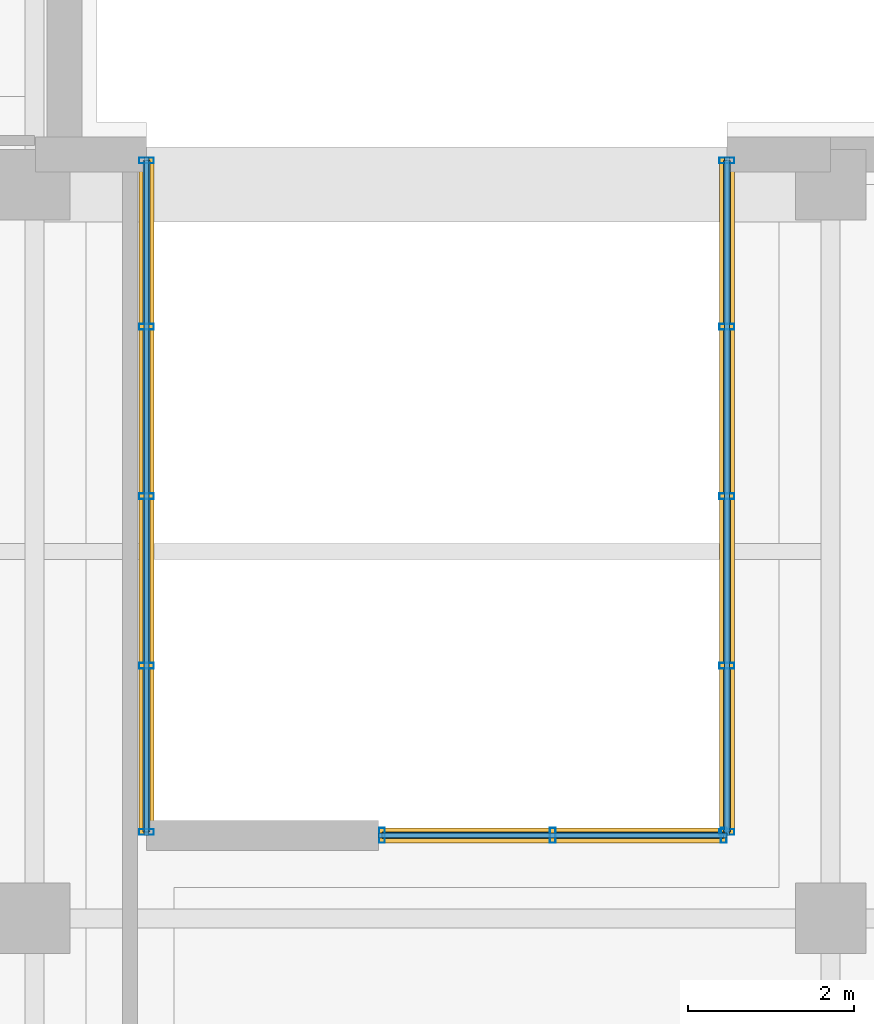
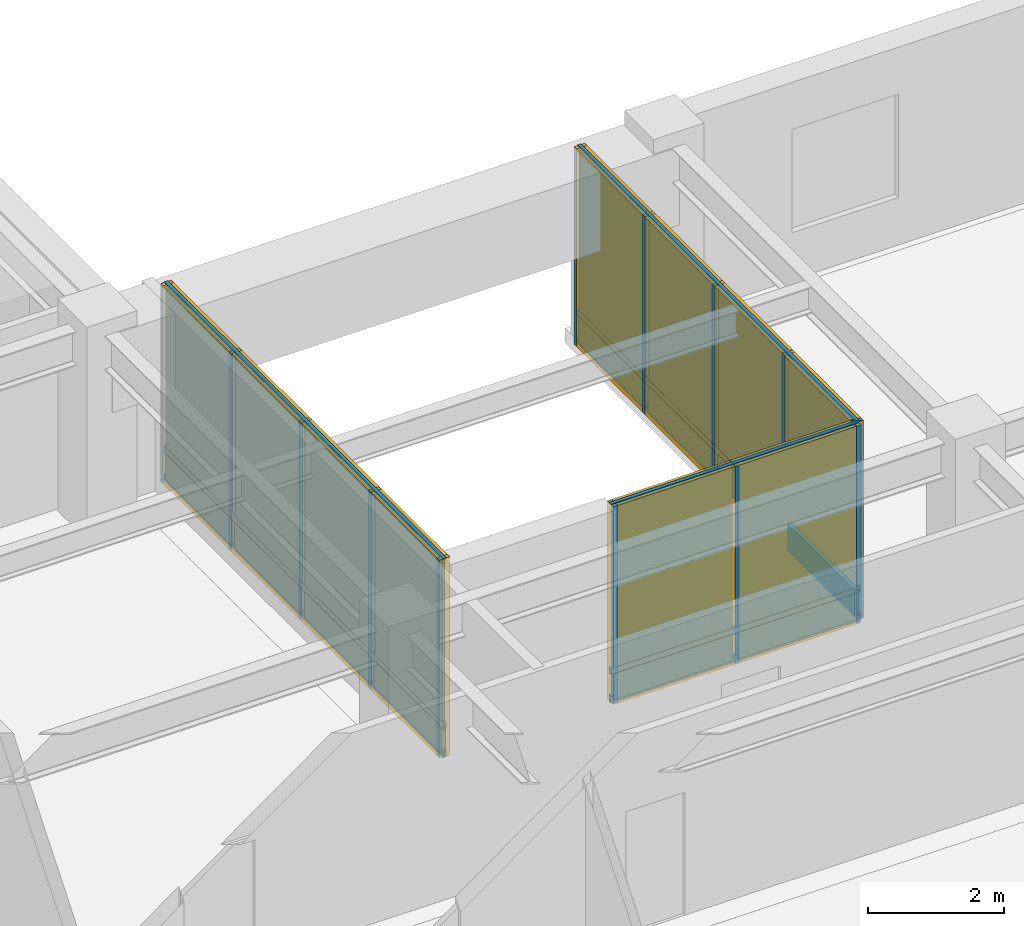
# One storey, part 7 of 12: 22 members, 20 plates, 3 curtain walls.
"""IFC4 building model written with IfcOpenShell, lengths in metres."""

from ifc_helpers import new_model, si_unit, direction, frame, frame_2d, origin, origin_2d, place, context, subcontext, project, spatial, rectangle, hollow_rectangle, extrude, material, layer, layer_set, material_profile, profile_set, type_object, element, aggregate, save


model = new_model("IFC4")

# Units and contexts
model_context = context("Model", 3, precision=1e-05, world=origin(), true_north=direction((0.0, 1.0)))
body_context = subcontext(model_context, "Body", "Model", "MODEL_VIEW")
ifc_project = project(units=[si_unit("LENGTHUNIT", "METRE"), si_unit("AREAUNIT", "SQUARE_METRE"), si_unit("VOLUMEUNIT", "CUBIC_METRE"), si_unit("PLANEANGLEUNIT", "RADIAN"), si_unit("MASSUNIT", "GRAM", prefix="KILO")], contexts=[model_context])

# Member
ifc_material_1 = material(Name="Anodized Aluminium 6063-T6", Category="aluminium")
ifc_material_profile_1 = material_profile(ifc_material_1, hollow_rectangle(XDim=0.070068359375, YDim=0.179931640625, WallThickness=0.00390625, at=origin_2d()), Name="Anodized Aluminium 6063-T6")
ifc_profile_set_1 = profile_set([ifc_material_profile_1], Name="Anodized Aluminium 6063-T6")
member_type_1 = type_object("IfcMemberType", Name="Curtain Wall Mullion 180", PredefinedType="MULLION", material=ifc_profile_set_1)
site_placement = place(None, origin())
building_placement = place(site_placement, origin())
storey_placement = place(building_placement, frame((0.0, 0.0, 225.60009765625)))
member_1_placement = place(storey_placement, frame((39.0, 29.840087890625, 0.0), z_axis=(0.0, 0.0, 1.0), x_axis=(0.0, 1.0, 0.0)))
member_1 = element("IfcMember", 1, at=member_1_placement, type_object=member_type_1, Name="Curtain Wall Mullion CW-L57-SGW-M01", PredefinedType="MULLION", context=body_context, shape_type="SweptSolid", body=[
    extrude(hollow_rectangle(XDim=0.070068359375, YDim=0.179931640625, WallThickness=0.00390625, at=origin_2d()), origin(), (0.0, 0.0, 1.0), 3.539794921875),
])

member_2_placement = place(storey_placement, frame((39.0, 31.844970703125, 0.0), z_axis=(0.0, 0.0, 1.0), x_axis=(0.0, 1.0, 0.0)))
member_2 = element("IfcMember", 2, at=member_2_placement, type_object=member_type_1, Name="Curtain Wall Mullion CW-L57-SGW-M02", PredefinedType="MULLION", context=body_context, shape_type="SweptSolid", body=[
    extrude(hollow_rectangle(XDim=0.070068359375, YDim=0.179931640625, WallThickness=0.00390625, at=origin_2d()), origin(), (0.0, 0.0, 1.0), 3.539794921875),
])

member_3_placement = place(storey_placement, frame((39.0, 33.889892578125, 0.0), z_axis=(0.0, 0.0, 1.0), x_axis=(0.0, 1.0, 0.0)))
member_3 = element("IfcMember", 3, at=member_3_placement, type_object=member_type_1, Name="Curtain Wall Mullion CW-L57-SGW-M03", PredefinedType="MULLION", context=body_context, shape_type="SweptSolid", body=[
    extrude(hollow_rectangle(XDim=0.070068359375, YDim=0.179931640625, WallThickness=0.00390625, at=origin_2d()), origin(), (0.0, 0.0, 1.0), 3.539794921875),
])

member_4_placement = place(storey_placement, frame((39.0, 35.93505859375, 0.0), z_axis=(0.0, 0.0, 1.0), x_axis=(0.0, 1.0, 0.0)))
member_4 = element("IfcMember", 4, at=member_4_placement, type_object=member_type_1, Name="Curtain Wall Mullion CW-L57-SGW-M04", PredefinedType="MULLION", context=body_context, shape_type="SweptSolid", body=[
    extrude(hollow_rectangle(XDim=0.070068359375, YDim=0.179931640625, WallThickness=0.00390625, at=origin_2d()), origin(), (0.0, 0.0, 1.0), 3.539794921875),
])

member_5_placement = place(storey_placement, frame((39.0, 37.93994140625, 0.0), z_axis=(0.0, 0.0, 1.0), x_axis=(0.0, 1.0, 0.0)))
member_5 = element("IfcMember", 5, at=member_5_placement, type_object=member_type_1, Name="Curtain Wall Mullion CW-L57-SGW-M05", PredefinedType="MULLION", context=body_context, shape_type="SweptSolid", body=[
    extrude(hollow_rectangle(XDim=0.070068359375, YDim=0.179931640625, WallThickness=0.00390625, at=origin_2d()), origin(), (0.0, 0.0, 1.0), 3.539794921875),
])

member_6_placement = place(storey_placement, frame((46.0, 29.840087890625, 0.0), z_axis=(0.0, 0.0, 1.0), x_axis=(0.0, 1.0, 0.0)))
member_6 = element("IfcMember", 6, at=member_6_placement, type_object=member_type_1, Name="Curtain Wall Mullion CW-L57-SGE-M01", PredefinedType="MULLION", context=body_context, shape_type="SweptSolid", body=[
    extrude(hollow_rectangle(XDim=0.070068359375, YDim=0.179931640625, WallThickness=0.00390625, at=origin_2d()), origin(), (0.0, 0.0, 1.0), 3.539794921875),
])

member_7_placement = place(storey_placement, frame((46.0, 31.844970703125, 0.0), z_axis=(0.0, 0.0, 1.0), x_axis=(0.0, 1.0, 0.0)))
member_7 = element("IfcMember", 7, at=member_7_placement, type_object=member_type_1, Name="Curtain Wall Mullion CW-L57-SGE-M02", PredefinedType="MULLION", context=body_context, shape_type="SweptSolid", body=[
    extrude(hollow_rectangle(XDim=0.070068359375, YDim=0.179931640625, WallThickness=0.00390625, at=origin_2d()), origin(), (0.0, 0.0, 1.0), 3.539794921875),
])

member_8_placement = place(storey_placement, frame((46.0, 33.889892578125, 0.0), z_axis=(0.0, 0.0, 1.0), x_axis=(0.0, 1.0, 0.0)))
member_8 = element("IfcMember", 8, at=member_8_placement, type_object=member_type_1, Name="Curtain Wall Mullion CW-L57-SGE-M03", PredefinedType="MULLION", context=body_context, shape_type="SweptSolid", body=[
    extrude(hollow_rectangle(XDim=0.070068359375, YDim=0.179931640625, WallThickness=0.00390625, at=origin_2d()), origin(), (0.0, 0.0, 1.0), 3.539794921875),
])

member_9_placement = place(storey_placement, frame((46.0, 35.93505859375, 0.0), z_axis=(0.0, 0.0, 1.0), x_axis=(0.0, 1.0, 0.0)))
member_9 = element("IfcMember", 9, at=member_9_placement, type_object=member_type_1, Name="Curtain Wall Mullion CW-L57-SGE-M04", PredefinedType="MULLION", context=body_context, shape_type="SweptSolid", body=[
    extrude(hollow_rectangle(XDim=0.070068359375, YDim=0.179931640625, WallThickness=0.00390625, at=origin_2d()), origin(), (0.0, 0.0, 1.0), 3.539794921875),
])

member_10_placement = place(storey_placement, frame((46.0, 37.93994140625, 0.0), z_axis=(0.0, 0.0, 1.0), x_axis=(0.0, 1.0, 0.0)))
member_10 = element("IfcMember", 10, at=member_10_placement, type_object=member_type_1, Name="Curtain Wall Mullion CW-L57-SGE-M05", PredefinedType="MULLION", context=body_context, shape_type="SweptSolid", body=[
    extrude(hollow_rectangle(XDim=0.070068359375, YDim=0.179931640625, WallThickness=0.00390625, at=origin_2d()), origin(), (0.0, 0.0, 1.0), 3.539794921875),
])

member_11_placement = place(storey_placement, frame((41.840087890625, 29.800048828125, 0.0), z_axis=(0.0, 0.0, 1.0), x_axis=(1.0, 0.0, 0.0)))
member_11 = element("IfcMember", 11, at=member_11_placement, type_object=member_type_1, Name="Curtain Wall Mullion CW-L57-SGS-M01", PredefinedType="MULLION", context=body_context, shape_type="SweptSolid", body=[
    extrude(hollow_rectangle(XDim=0.070068359375, YDim=0.179931640625, WallThickness=0.00390625, at=origin_2d()), origin(), (0.0, 0.0, 1.0), 3.539794921875),
])

member_12_placement = place(storey_placement, frame((43.89990234375, 29.800048828125, 0.0), z_axis=(0.0, 0.0, 1.0), x_axis=(1.0, 0.0, 0.0)))
member_12 = element("IfcMember", 12, at=member_12_placement, type_object=member_type_1, Name="Curtain Wall Mullion CW-L57-SGS-M02", PredefinedType="MULLION", context=body_context, shape_type="SweptSolid", body=[
    extrude(hollow_rectangle(XDim=0.070068359375, YDim=0.179931640625, WallThickness=0.00390625, at=origin_2d()), origin(), (0.0, 0.0, 1.0), 3.539794921875),
])

member_13_placement = place(storey_placement, frame((45.9599609375, 29.800048828125, 0.0), z_axis=(0.0, 0.0, 1.0), x_axis=(1.0, 0.0, 0.0)))
member_13 = element("IfcMember", 13, at=member_13_placement, type_object=member_type_1, Name="Curtain Wall Mullion CW-L57-SGS-M03", PredefinedType="MULLION", context=body_context, shape_type="SweptSolid", body=[
    extrude(hollow_rectangle(XDim=0.070068359375, YDim=0.179931640625, WallThickness=0.00390625, at=origin_2d()), origin(), (0.0, 0.0, 1.0), 3.539794921875),
])

ifc_material_profile_2 = material_profile(ifc_material_1, hollow_rectangle(XDim=0.06005859375, YDim=0.1201171875, WallThickness=0.00341796875, at=origin_2d()), Name="Anodized Aluminium 6063-T6")
ifc_profile_set_2 = profile_set([ifc_material_profile_2], Name="Anodized Aluminium 6063-T6")
member_type_2 = type_object("IfcMemberType", Name="Curtain Wall Transom 120", PredefinedType="USERDEFINED", material=ifc_profile_set_2)
member_14_placement = place(storey_placement, frame((39.0, 29.800048828125, 0.0498046875), z_axis=(0.0, 1.0, 0.0), x_axis=(-1.0, 0.0, 0.0)))
member_14 = element("IfcMember", 14, at=member_14_placement, type_object=member_type_2, Name="Curtain Wall Transom CW-L57-SGW-T01", ObjectType="TRANSOM", PredefinedType="USERDEFINED", context=body_context, shape_type="SweptSolid", body=[
    extrude(hollow_rectangle(XDim=0.06005859375, YDim=0.1201171875, WallThickness=0.00341796875, at=origin_2d()), origin(), (0.0, 0.0, 1.0), 8.179931640625),
])

member_15_placement = place(storey_placement, frame((39.0, 29.800048828125, 0.5498046875), z_axis=(0.0, 1.0, 0.0), x_axis=(-1.0, 0.0, 0.0)))
member_15 = element("IfcMember", 15, at=member_15_placement, type_object=member_type_2, Name="Curtain Wall Transom CW-L57-SGW-T02", ObjectType="TRANSOM", PredefinedType="USERDEFINED", context=body_context, shape_type="SweptSolid", body=[
    extrude(hollow_rectangle(XDim=0.06005859375, YDim=0.1201171875, WallThickness=0.00341796875, at=origin_2d()), origin(), (0.0, 0.0, 1.0), 8.179931640625),
])

member_16_placement = place(storey_placement, frame((39.0, 29.800048828125, 3.489990234375), z_axis=(0.0, 1.0, 0.0), x_axis=(-1.0, 0.0, 0.0)))
member_16 = element("IfcMember", 16, at=member_16_placement, type_object=member_type_2, Name="Curtain Wall Transom CW-L57-SGW-T03", ObjectType="TRANSOM", PredefinedType="USERDEFINED", context=body_context, shape_type="SweptSolid", body=[
    extrude(hollow_rectangle(XDim=0.06005859375, YDim=0.1201171875, WallThickness=0.00341796875, at=origin_2d()), origin(), (0.0, 0.0, 1.0), 8.179931640625),
])

member_17_placement = place(storey_placement, frame((46.0, 29.800048828125, 0.0498046875), z_axis=(0.0, 1.0, 0.0), x_axis=(-1.0, 0.0, 0.0)))
member_17 = element("IfcMember", 17, at=member_17_placement, type_object=member_type_2, Name="Curtain Wall Transom CW-L57-SGE-T01", ObjectType="TRANSOM", PredefinedType="USERDEFINED", context=body_context, shape_type="SweptSolid", body=[
    extrude(hollow_rectangle(XDim=0.06005859375, YDim=0.1201171875, WallThickness=0.00341796875, at=origin_2d()), origin(), (0.0, 0.0, 1.0), 8.179931640625),
])

member_18_placement = place(storey_placement, frame((46.0, 29.800048828125, 0.5498046875), z_axis=(0.0, 1.0, 0.0), x_axis=(-1.0, 0.0, 0.0)))
member_18 = element("IfcMember", 18, at=member_18_placement, type_object=member_type_2, Name="Curtain Wall Transom CW-L57-SGE-T02", ObjectType="TRANSOM", PredefinedType="USERDEFINED", context=body_context, shape_type="SweptSolid", body=[
    extrude(hollow_rectangle(XDim=0.06005859375, YDim=0.1201171875, WallThickness=0.00341796875, at=origin_2d()), origin(), (0.0, 0.0, 1.0), 8.179931640625),
])

member_19_placement = place(storey_placement, frame((46.0, 29.800048828125, 3.489990234375), z_axis=(0.0, 1.0, 0.0), x_axis=(-1.0, 0.0, 0.0)))
member_19 = element("IfcMember", 19, at=member_19_placement, type_object=member_type_2, Name="Curtain Wall Transom CW-L57-SGE-T03", ObjectType="TRANSOM", PredefinedType="USERDEFINED", context=body_context, shape_type="SweptSolid", body=[
    extrude(hollow_rectangle(XDim=0.06005859375, YDim=0.1201171875, WallThickness=0.00341796875, at=origin_2d()), origin(), (0.0, 0.0, 1.0), 8.179931640625),
])

member_20_placement = place(storey_placement, frame((41.800048828125, 29.800048828125, 0.0498046875), z_axis=(1.0, 0.0, 0.0), x_axis=(0.0, 1.0, 0.0)))
member_20 = element("IfcMember", 20, at=member_20_placement, type_object=member_type_2, Name="Curtain Wall Transom CW-L57-SGS-T01", ObjectType="TRANSOM", PredefinedType="USERDEFINED", context=body_context, shape_type="SweptSolid", body=[
    extrude(hollow_rectangle(XDim=0.06005859375, YDim=0.1201171875, WallThickness=0.00341796875, at=origin_2d()), origin(), (0.0, 0.0, 1.0), 4.199951171875),
])

member_21_placement = place(storey_placement, frame((41.800048828125, 29.800048828125, 0.5498046875), z_axis=(1.0, 0.0, 0.0), x_axis=(0.0, 1.0, 0.0)))
member_21 = element("IfcMember", 21, at=member_21_placement, type_object=member_type_2, Name="Curtain Wall Transom CW-L57-SGS-T02", ObjectType="TRANSOM", PredefinedType="USERDEFINED", context=body_context, shape_type="SweptSolid", body=[
    extrude(hollow_rectangle(XDim=0.06005859375, YDim=0.1201171875, WallThickness=0.00341796875, at=origin_2d()), origin(), (0.0, 0.0, 1.0), 4.199951171875),
])

member_22_placement = place(storey_placement, frame((41.800048828125, 29.800048828125, 3.489990234375), z_axis=(1.0, 0.0, 0.0), x_axis=(0.0, 1.0, 0.0)))
member_22 = element("IfcMember", 22, at=member_22_placement, type_object=member_type_2, Name="Curtain Wall Transom CW-L57-SGS-T03", ObjectType="TRANSOM", PredefinedType="USERDEFINED", context=body_context, shape_type="SweptSolid", body=[
    extrude(hollow_rectangle(XDim=0.06005859375, YDim=0.1201171875, WallThickness=0.00341796875, at=origin_2d()), origin(), (0.0, 0.0, 1.0), 4.199951171875),
])

# Plate
ifc_material_2 = material(Name="Bird-Friendly Fritted Triple Glazing", Category="glass")
ifc_layer_1 = layer(ifc_material_2, 0.052001953125, Name="Bird-Friendly Fritted Triple Glazing")
ifc_layer_set_1 = layer_set([ifc_layer_1], Name="Bird-Friendly Fritted Triple Glazing")
plate_type_1 = type_object("IfcPlateType", Name="Plate CWGlazing 52", PredefinedType="CURTAIN_PANEL", material=ifc_layer_set_1)
plate_1_placement = place(storey_placement, frame((39.0, 30.822509765625, 0.58984375), z_axis=(0.0, 0.0, 1.0), x_axis=(0.0, 1.0, 0.0)))
plate_1 = element("IfcPlate", 23, at=plate_1_placement, type_object=plate_type_1, Name="Vision Glazing Panel CW-L57-SGW-GL01", PredefinedType="CURTAIN_PANEL", context=body_context, shape_type="SweptSolid", body=[
    extrude(rectangle(XDim=1.965087890625, YDim=0.052001953125, at=origin_2d()), origin(), (0.0, 0.0, 1.0), 2.909912109375),
])

plate_2_placement = place(storey_placement, frame((39.0, 32.867431640625, 0.58984375), z_axis=(0.0, 0.0, 1.0), x_axis=(0.0, 1.0, 0.0)))
plate_2 = element("IfcPlate", 24, at=plate_2_placement, type_object=plate_type_1, Name="Vision Glazing Panel CW-L57-SGW-GL02", PredefinedType="CURTAIN_PANEL", context=body_context, shape_type="SweptSolid", body=[
    extrude(rectangle(XDim=1.965087890625, YDim=0.052001953125, at=origin_2d()), origin(), (0.0, 0.0, 1.0), 2.909912109375),
])

plate_3_placement = place(storey_placement, frame((39.0, 34.91259765625, 0.58984375), z_axis=(0.0, 0.0, 1.0), x_axis=(0.0, 1.0, 0.0)))
plate_3 = element("IfcPlate", 25, at=plate_3_placement, type_object=plate_type_1, Name="Vision Glazing Panel CW-L57-SGW-GL03", PredefinedType="CURTAIN_PANEL", context=body_context, shape_type="SweptSolid", body=[
    extrude(rectangle(XDim=1.965087890625, YDim=0.052001953125, at=origin_2d()), origin(), (0.0, 0.0, 1.0), 2.909912109375),
])

plate_4_placement = place(storey_placement, frame((39.0, 36.95751953125, 0.58984375), z_axis=(0.0, 0.0, 1.0), x_axis=(0.0, 1.0, 0.0)))
plate_4 = element("IfcPlate", 26, at=plate_4_placement, type_object=plate_type_1, Name="Vision Glazing Panel CW-L57-SGW-GL04", PredefinedType="CURTAIN_PANEL", context=body_context, shape_type="SweptSolid", body=[
    extrude(rectangle(XDim=1.965087890625, YDim=0.052001953125, at=origin_2d()), origin(), (0.0, 0.0, 1.0), 2.909912109375),
])

plate_5_placement = place(storey_placement, frame((46.0, 30.822509765625, 0.58984375), z_axis=(0.0, 0.0, 1.0), x_axis=(0.0, 1.0, 0.0)))
plate_5 = element("IfcPlate", 27, at=plate_5_placement, type_object=plate_type_1, Name="Vision Glazing Panel CW-L57-SGE-GL01", PredefinedType="CURTAIN_PANEL", context=body_context, shape_type="SweptSolid", body=[
    extrude(rectangle(XDim=1.965087890625, YDim=0.052001953125, at=origin_2d()), origin(), (0.0, 0.0, 1.0), 2.909912109375),
])

plate_6_placement = place(storey_placement, frame((46.0, 32.867431640625, 0.58984375), z_axis=(0.0, 0.0, 1.0), x_axis=(0.0, 1.0, 0.0)))
plate_6 = element("IfcPlate", 28, at=plate_6_placement, type_object=plate_type_1, Name="Vision Glazing Panel CW-L57-SGE-GL02", PredefinedType="CURTAIN_PANEL", context=body_context, shape_type="SweptSolid", body=[
    extrude(rectangle(XDim=1.965087890625, YDim=0.052001953125, at=origin_2d()), origin(), (0.0, 0.0, 1.0), 2.909912109375),
])

plate_7_placement = place(storey_placement, frame((46.0, 34.91259765625, 0.58984375), z_axis=(0.0, 0.0, 1.0), x_axis=(0.0, 1.0, 0.0)))
plate_7 = element("IfcPlate", 29, at=plate_7_placement, type_object=plate_type_1, Name="Vision Glazing Panel CW-L57-SGE-GL03", PredefinedType="CURTAIN_PANEL", context=body_context, shape_type="SweptSolid", body=[
    extrude(rectangle(XDim=1.965087890625, YDim=0.052001953125, at=origin_2d()), origin(), (0.0, 0.0, 1.0), 2.909912109375),
])

plate_8_placement = place(storey_placement, frame((46.0, 36.95751953125, 0.58984375), z_axis=(0.0, 0.0, 1.0), x_axis=(0.0, 1.0, 0.0)))
plate_8 = element("IfcPlate", 30, at=plate_8_placement, type_object=plate_type_1, Name="Vision Glazing Panel CW-L57-SGE-GL04", PredefinedType="CURTAIN_PANEL", context=body_context, shape_type="SweptSolid", body=[
    extrude(rectangle(XDim=1.965087890625, YDim=0.052001953125, at=origin_2d()), origin(), (0.0, 0.0, 1.0), 2.909912109375),
])

plate_9_placement = place(storey_placement, frame((42.85009765625, 29.800048828125, 0.58984375), z_axis=(0.0, 0.0, 1.0), x_axis=(1.0, 0.0, 0.0)))
plate_9 = element("IfcPlate", 31, at=plate_9_placement, type_object=plate_type_1, Name="Vision Glazing Panel CW-L57-SGS-GL01", PredefinedType="CURTAIN_PANEL", context=body_context, shape_type="SweptSolid", body=[
    extrude(rectangle(XDim=2.02001953125, YDim=0.052001953125, at=origin_2d()), origin(), (0.0, 0.0, 1.0), 2.909912109375),
])

plate_10_placement = place(storey_placement, frame((44.949951171875, 29.800048828125, 0.58984375), z_axis=(0.0, 0.0, 1.0), x_axis=(1.0, 0.0, 0.0)))
plate_10 = element("IfcPlate", 32, at=plate_10_placement, type_object=plate_type_1, Name="Vision Glazing Panel CW-L57-SGS-GL02", PredefinedType="CURTAIN_PANEL", context=body_context, shape_type="SweptSolid", body=[
    extrude(rectangle(XDim=2.02001953125, YDim=0.052001953125, at=origin_2d()), origin(), (0.0, 0.0, 1.0), 2.909912109375),
])

ifc_material_3 = material(Name="Insulated Aluminium Spandrel Panel", Category="aluminium")
ifc_layer_2 = layer(ifc_material_3, 0.080078125, Name="Insulated Aluminium Spandrel Panel")
ifc_layer_set_2 = layer_set([ifc_layer_2], Name="Insulated Aluminium Spandrel Panel")
plate_type_2 = type_object("IfcPlateType", Name="Plate CWSpandrel 80", PredefinedType="SHEET", material=ifc_layer_set_2)
plate_11_placement = place(storey_placement, frame((39.0, 30.822509765625, 0.0400390625), z_axis=(0.0, 0.0, 1.0), x_axis=(0.0, 1.0, 0.0)))
plate_11 = element("IfcPlate", 33, at=plate_11_placement, type_object=plate_type_2, Name="Spandrel Panel CW-L57-SGW-SP01", PredefinedType="SHEET", context=body_context, shape_type="SweptSolid", body=[
    extrude(rectangle(XDim=1.965087890625, YDim=0.080078125, at=origin_2d()), origin(), (0.0, 0.0, 1.0), 0.469970703125),
])

plate_12_placement = place(storey_placement, frame((39.0, 32.867431640625, 0.0400390625), z_axis=(0.0, 0.0, 1.0), x_axis=(0.0, 1.0, 0.0)))
plate_12 = element("IfcPlate", 34, at=plate_12_placement, type_object=plate_type_2, Name="Spandrel Panel CW-L57-SGW-SP02", PredefinedType="SHEET", context=body_context, shape_type="SweptSolid", body=[
    extrude(rectangle(XDim=1.965087890625, YDim=0.080078125, at=origin_2d()), origin(), (0.0, 0.0, 1.0), 0.469970703125),
])

plate_13_placement = place(storey_placement, frame((39.0, 34.91259765625, 0.0400390625), z_axis=(0.0, 0.0, 1.0), x_axis=(0.0, 1.0, 0.0)))
plate_13 = element("IfcPlate", 35, at=plate_13_placement, type_object=plate_type_2, Name="Spandrel Panel CW-L57-SGW-SP03", PredefinedType="SHEET", context=body_context, shape_type="SweptSolid", body=[
    extrude(rectangle(XDim=1.965087890625, YDim=0.080078125, at=origin_2d()), origin(), (0.0, 0.0, 1.0), 0.469970703125),
])

plate_14_placement = place(storey_placement, frame((39.0, 36.95751953125, 0.0400390625), z_axis=(0.0, 0.0, 1.0), x_axis=(0.0, 1.0, 0.0)))
plate_14 = element("IfcPlate", 36, at=plate_14_placement, type_object=plate_type_2, Name="Spandrel Panel CW-L57-SGW-SP04", PredefinedType="SHEET", context=body_context, shape_type="SweptSolid", body=[
    extrude(rectangle(XDim=1.965087890625, YDim=0.080078125, at=origin_2d()), origin(), (0.0, 0.0, 1.0), 0.469970703125),
])

plate_15_placement = place(storey_placement, frame((46.0, 30.822509765625, 0.0400390625), z_axis=(0.0, 0.0, 1.0), x_axis=(0.0, 1.0, 0.0)))
plate_15 = element("IfcPlate", 37, at=plate_15_placement, type_object=plate_type_2, Name="Spandrel Panel CW-L57-SGE-SP01", PredefinedType="SHEET", context=body_context, shape_type="SweptSolid", body=[
    extrude(rectangle(XDim=1.965087890625, YDim=0.080078125, at=origin_2d()), origin(), (0.0, 0.0, 1.0), 0.469970703125),
])

plate_16_placement = place(storey_placement, frame((46.0, 32.867431640625, 0.0400390625), z_axis=(0.0, 0.0, 1.0), x_axis=(0.0, 1.0, 0.0)))
plate_16 = element("IfcPlate", 38, at=plate_16_placement, type_object=plate_type_2, Name="Spandrel Panel CW-L57-SGE-SP02", PredefinedType="SHEET", context=body_context, shape_type="SweptSolid", body=[
    extrude(rectangle(XDim=1.965087890625, YDim=0.080078125, at=origin_2d()), origin(), (0.0, 0.0, 1.0), 0.469970703125),
])

plate_17_placement = place(storey_placement, frame((46.0, 34.91259765625, 0.0400390625), z_axis=(0.0, 0.0, 1.0), x_axis=(0.0, 1.0, 0.0)))
plate_17 = element("IfcPlate", 39, at=plate_17_placement, type_object=plate_type_2, Name="Spandrel Panel CW-L57-SGE-SP03", PredefinedType="SHEET", context=body_context, shape_type="SweptSolid", body=[
    extrude(rectangle(XDim=1.965087890625, YDim=0.080078125, at=origin_2d()), origin(), (0.0, 0.0, 1.0), 0.469970703125),
])

plate_18_placement = place(storey_placement, frame((46.0, 36.95751953125, 0.0400390625), z_axis=(0.0, 0.0, 1.0), x_axis=(0.0, 1.0, 0.0)))
plate_18 = element("IfcPlate", 40, at=plate_18_placement, type_object=plate_type_2, Name="Spandrel Panel CW-L57-SGE-SP04", PredefinedType="SHEET", context=body_context, shape_type="SweptSolid", body=[
    extrude(rectangle(XDim=1.965087890625, YDim=0.080078125, at=origin_2d()), origin(), (0.0, 0.0, 1.0), 0.469970703125),
])

plate_19_placement = place(storey_placement, frame((42.85009765625, 29.800048828125, 0.0400390625), z_axis=(0.0, 0.0, 1.0), x_axis=(1.0, 0.0, 0.0)))
plate_19 = element("IfcPlate", 41, at=plate_19_placement, type_object=plate_type_2, Name="Spandrel Panel CW-L57-SGS-SP01", PredefinedType="SHEET", context=body_context, shape_type="SweptSolid", body=[
    extrude(rectangle(XDim=2.02001953125, YDim=0.080078125, at=origin_2d()), origin(), (0.0, 0.0, 1.0), 0.469970703125),
])

plate_20_placement = place(storey_placement, frame((44.949951171875, 29.800048828125, 0.0400390625), z_axis=(0.0, 0.0, 1.0), x_axis=(1.0, 0.0, 0.0)))
plate_20 = element("IfcPlate", 42, at=plate_20_placement, type_object=plate_type_2, Name="Spandrel Panel CW-L57-SGS-SP02", PredefinedType="SHEET", context=body_context, shape_type="SweptSolid", body=[
    extrude(rectangle(XDim=2.02001953125, YDim=0.080078125, at=origin_2d()), origin(), (0.0, 0.0, 1.0), 0.469970703125),
])

# Site, building, storey
site = spatial("IfcSite", under=ifc_project, at=site_placement, CompositionType="ELEMENT")
building = spatial("IfcBuilding", under=site, at=building_placement, Name="Norrvale University Quadrangle", CompositionType="ELEMENT")
storey = spatial("IfcBuildingStorey", under=building, at=storey_placement, Name="L57", CompositionType="ELEMENT", Elevation=225.60009765625)

# Curtain wall
ifc_material_4 = material(Name="Anodized Aluminium and Triple Glazing", Category="glass")
curtain_wall_type = type_object("IfcCurtainWallType", Name="Curtain Wall System 2 Sky Garden", PredefinedType="NOTDEFINED", material=ifc_material_4)
curtain_wall_1_placement = place(storey_placement, frame((39.0, 29.800048828125, 0.0), z_axis=(0.0, 0.0, 1.0), x_axis=(0.0, 1.0, 0.0)))
curtain_wall_1 = element("IfcCurtainWall", 43, at=curtain_wall_1_placement, inside=storey, type_object=curtain_wall_type, Name="Curtain Wall CW System 2 Sky Garden CW-L57-SGW", PredefinedType="NOTDEFINED", context=body_context, shape_type="SweptSolid", body=[
    extrude(rectangle(XDim=8.179931640625, YDim=0.179931640625, at=frame_2d((4.08984375, 0.0))), origin(), (0.0, 0.0, 1.0), 3.539794921875),
])

aggregate(curtain_wall_1, [member_1, member_2, member_3, member_4, member_5, member_14, member_15, member_16, plate_11, plate_1, plate_12, plate_2, plate_13, plate_3, plate_14, plate_4])

curtain_wall_2_placement = place(storey_placement, frame((46.0, 29.800048828125, 0.0), z_axis=(0.0, 0.0, 1.0), x_axis=(0.0, 1.0, 0.0)))
curtain_wall_2 = element("IfcCurtainWall", 44, at=curtain_wall_2_placement, inside=storey, type_object=curtain_wall_type, Name="Curtain Wall CW System 2 Sky Garden CW-L57-SGE", PredefinedType="NOTDEFINED", context=body_context, shape_type="SweptSolid", body=[
    extrude(rectangle(XDim=8.179931640625, YDim=0.179931640625, at=frame_2d((4.08984375, 0.0))), origin(), (0.0, 0.0, 1.0), 3.539794921875),
])

aggregate(curtain_wall_2, [member_6, member_7, member_8, member_9, member_10, member_17, member_18, member_19, plate_15, plate_5, plate_16, plate_6, plate_17, plate_7, plate_18, plate_8])

curtain_wall_3_placement = place(storey_placement, frame((41.800048828125, 29.800048828125, 0.0), z_axis=(0.0, 0.0, 1.0), x_axis=(1.0, 0.0, 0.0)))
curtain_wall_3 = element("IfcCurtainWall", 45, at=curtain_wall_3_placement, inside=storey, type_object=curtain_wall_type, Name="Curtain Wall CW System 2 Sky Garden CW-L57-SGS", PredefinedType="NOTDEFINED", context=body_context, shape_type="SweptSolid", body=[
    extrude(rectangle(XDim=4.199951171875, YDim=0.179931640625, at=frame_2d((2.10009765625, 0.0))), origin(), (0.0, 0.0, 1.0), 3.539794921875),
])

aggregate(curtain_wall_3, [member_11, member_12, member_13, member_20, member_21, member_22, plate_19, plate_9, plate_20, plate_10])

save(model, "model.ifc")
